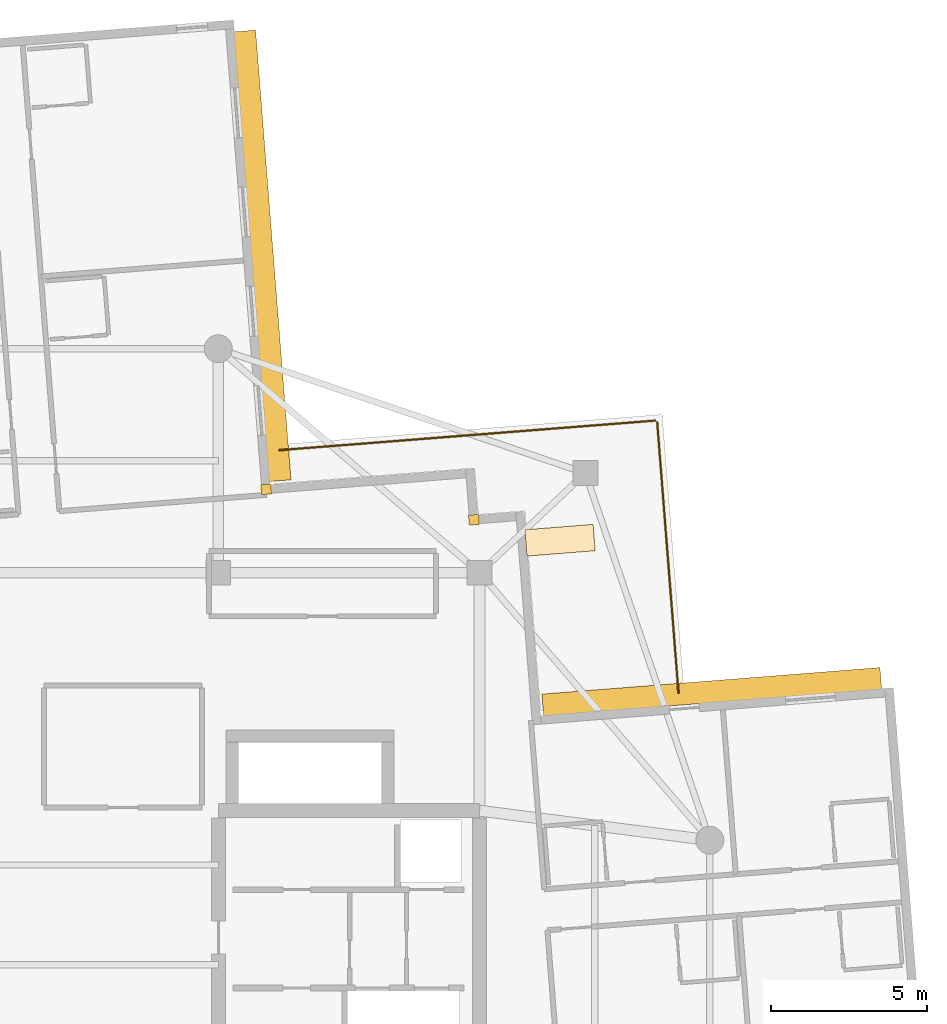
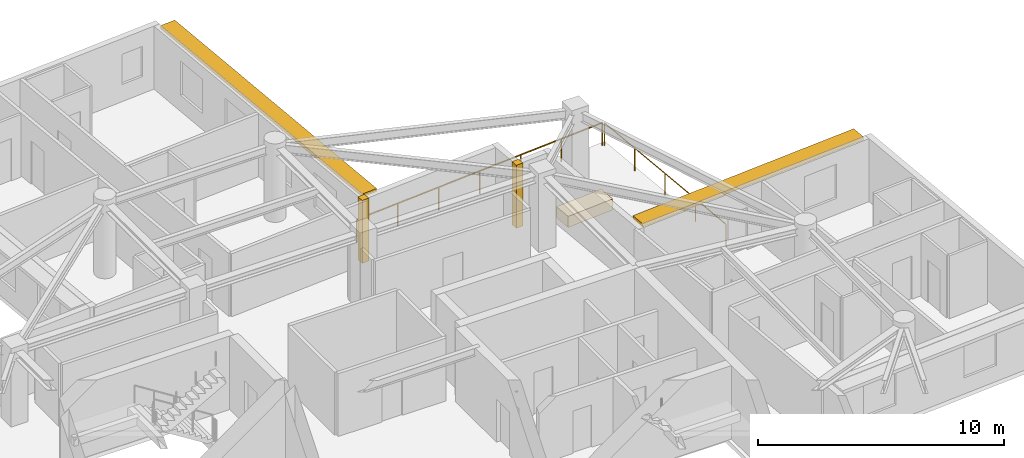
# One storey, part 13 of 13: 3 coverings, 2 railings, 2 shading devices.
"""IFC4 building model written with IfcOpenShell, lengths in metres."""

from ifc_helpers import new_model, si_unit, direction, frame, origin, origin_2d, place, context, subcontext, project, spatial, rectangle, circle, extrude, material, layer, layer_set, type_object, element, save


model = new_model("IFC4")

# Units and contexts
model_context = context("Model", 3, precision=1e-05, world=origin(), true_north=direction((0.0, 1.0)))
body_context = subcontext(model_context, "Body", "Model", "MODEL_VIEW")
ifc_project = project(units=[si_unit("LENGTHUNIT", "METRE"), si_unit("AREAUNIT", "SQUARE_METRE"), si_unit("VOLUMEUNIT", "CUBIC_METRE"), si_unit("PLANEANGLEUNIT", "RADIAN"), si_unit("MASSUNIT", "GRAM", prefix="KILO")], contexts=[model_context])

# Site, building, storey
site_placement = place(None, origin())
site = spatial("IfcSite", under=ifc_project, at=site_placement, CompositionType="ELEMENT")
building_placement = place(site_placement, origin())
building = spatial("IfcBuilding", under=site, at=building_placement, Name="Qingluan Cross Belvedere", CompositionType="ELEMENT")
storey_placement = place(building_placement, frame((0.0, 0.0, 285.0)))
storey = spatial("IfcBuildingStorey", under=building, at=storey_placement, Name="L71", CompositionType="ELEMENT", Elevation=285.0)

# Coverings
ifc_material_1 = material(Name="Precast concrete C45", Category="concrete")
ifc_layer_1 = layer(ifc_material_1, 0.1201171875, Name="ConcreteSpandrelCladding_120")
ifc_layer_set_1 = layer_set([ifc_layer_1], Name="Precast concrete C45")
covering_type_1 = type_object("IfcCoveringType", Name="ConcreteSpandrelCladding_120", PredefinedType="CLADDING", material=ifc_layer_set_1)
for number, where, z_axis, x_axis, name in (
    (1, (12.215576171875, 14.302490234375, 0.0), (0.0, 0.0, 1.0), (0.996917333733, 0.078459095728, 0.0), "Corner closure L71-NE1"),
    (2, (5.5380859375, 15.281494140625, 0.0), (0.0, 0.0, 1.0), (0.996917333733, 0.078459095728, 0.0), "Corner closure L71-NE2"),
):
    element("IfcCovering", number, at=place(storey_placement, frame(where, z_axis=z_axis, x_axis=x_axis)), inside=storey, type_object=covering_type_1, Name=name, PredefinedType="CLADDING", context=body_context, shape_type="SweptSolid", body=[
        extrude(rectangle(XDim=0.320068359375, YDim=0.320068359375, at=origin_2d()), origin(), (0.0, 0.0, 1.0), 3.1298828125),
    ])

# Shading devices
ifc_material_2 = material(Name="Precast concrete C45", Category="concrete")
ifc_layer_2 = layer(ifc_material_2, 0.139892578125, Name="ConcreteSunshadeBand_700")
ifc_layer_set_2 = layer_set([ifc_layer_2], Name="Precast concrete C45")
shading_device_type = type_object("IfcShadingDeviceType", Name="ConcreteSunshadeBand_700", PredefinedType="USERDEFINED", material=ifc_layer_set_2)
shading_device_1_placement = place(storey_placement, frame((19.86279296875, 8.775390625, 2.9501953125), z_axis=(0.0, 0.0, 1.0), x_axis=(-0.996917315041, -0.078459333231, 0.0)))
element("IfcShadingDevice", 3, at=shading_device_1_placement, inside=storey, type_object=shading_device_type, Name="Concrete SUNSHADE L71-EB", ObjectType="SUNSHADE", PredefinedType="USERDEFINED", context=body_context, shape_type="SweptSolid", body=[
    extrude(rectangle(XDim=10.89990234375, YDim=0.699951171875, at=origin_2d()), origin(), (0.0, 0.0, 1.0), 0.159912109375),
])
shading_device_2_placement = place(storey_placement, frame((5.4189453125, 22.785400390625, 2.9501953125), z_axis=(0.0, 0.0, 1.0), x_axis=(-0.078455721862, 0.996917599256, 0.0)))
element("IfcShadingDevice", 4, at=shading_device_2_placement, inside=storey, type_object=shading_device_type, Name="Concrete SUNSHADE L71-NA", ObjectType="SUNSHADE", PredefinedType="USERDEFINED", context=body_context, shape_type="SweptSolid", body=[
    extrude(rectangle(XDim=14.5, YDim=0.699951171875, at=origin_2d()), origin(), (0.0, 0.0, 1.0), 0.159912109375),
])

# Railings
ifc_material_3 = material(Name="Laminated glass and stainless steel balustrade", Category="steel")
railing_type = type_object("IfcRailingType", Name="TerraceGuardBalustrade_1150", PredefinedType="BALUSTRADE", material=ifc_material_3)
railing_1_placement = place(storey_placement, frame((5.960693359375, 16.538818359375, 0.0)))
element("IfcRailing", 5, at=railing_1_placement, inside=storey, type_object=railing_type, Name="Terrace guard L71-1", PredefinedType="BALUSTRADE", context=body_context, shape_type="SweptSolid", body=[
    extrude(circle(Radius=0.02392578125, at=origin_2d()), frame((0.0, 0.0, 1.1259765625), z_axis=(0.996918950322, 0.078438552314, 0.0), x_axis=(-0.078438552314, 0.996918950322, 0.0)), (0.0, 0.0, 1.0), 12.1201171875),
    extrude(circle(Radius=0.02099609375, at=origin_2d()), origin(), (0.0, 0.0, 1.0), 1.101806640625),
    extrude(circle(Radius=0.02099609375, at=origin_2d()), frame((2.013671875, 0.158447265625, 0.0)), (0.0, 0.0, 1.0), 1.101806640625),
    extrude(circle(Radius=0.02099609375, at=origin_2d()), frame((4.027587890625, 0.31689453125, 0.0)), (0.0, 0.0, 1.0), 1.101806640625),
    extrude(circle(Radius=0.02099609375, at=origin_2d()), frame((6.04150390625, 0.475341796875, 0.0)), (0.0, 0.0, 1.0), 1.101806640625),
    extrude(circle(Radius=0.02099609375, at=origin_2d()), frame((8.05517578125, 0.6337890625, 0.0)), (0.0, 0.0, 1.0), 1.101806640625),
    extrude(circle(Radius=0.02099609375, at=origin_2d()), frame((10.06884765625, 0.792236328125, 0.0)), (0.0, 0.0, 1.0), 1.101806640625),
    extrude(circle(Radius=0.02099609375, at=origin_2d()), frame((12.082763671875, 0.95068359375, 0.0)), (0.0, 0.0, 1.0), 1.101806640625),
])
railing_2_placement = place(storey_placement, frame((18.10791015625, 17.4345703125, 0.0)))
element("IfcRailing", 6, at=railing_2_placement, inside=storey, type_object=railing_type, Name="Terrace guard L71-2", PredefinedType="BALUSTRADE", context=body_context, shape_type="SweptSolid", body=[
    extrude(circle(Radius=0.02392578125, at=origin_2d()), frame((0.0, 0.0, 1.1259765625), z_axis=(0.078447677123, -0.996918232331, 0.0), x_axis=(0.996918232331, 0.078447677123, 0.0)), (0.0, 0.0, 1.0), 8.72021484375),
    extrude(circle(Radius=0.02099609375, at=origin_2d()), origin(), (0.0, 0.0, 1.0), 1.101806640625),
    extrude(circle(Radius=0.02099609375, at=origin_2d()), frame((0.1708984375, -2.17333984375, 0.0)), (0.0, 0.0, 1.0), 1.101806640625),
    extrude(circle(Radius=0.02099609375, at=origin_2d()), frame((0.342041015625, -4.3466796875, 0.0)), (0.0, 0.0, 1.0), 1.101806640625),
    extrude(circle(Radius=0.02099609375, at=origin_2d()), frame((0.51318359375, -6.52001953125, 0.0)), (0.0, 0.0, 1.0), 1.101806640625),
    extrude(circle(Radius=0.02099609375, at=origin_2d()), frame((0.68408203125, -8.693359375, 0.0)), (0.0, 0.0, 1.0), 1.101806640625),
])

# Covering
ifc_material_4 = material(Name="Precast concrete C40", Category="concrete")
ifc_layer_3 = layer(ifc_material_4, 0.550048828125, Name="TerracePlanterBox")
ifc_layer_set_3 = layer_set([ifc_layer_3], Name="Precast concrete C40")
covering_type_2 = type_object("IfcCoveringType", Name="TerracePlanterBox", PredefinedType="USERDEFINED", material=ifc_layer_set_3)
covering_placement = place(storey_placement, frame((14.985107421875, 13.64306640625, 0.0), z_axis=(0.0, 0.0, 1.0), x_axis=(0.996917333733, 0.078459095728, 0.0)))
element("IfcCovering", 7, at=covering_placement, inside=storey, type_object=covering_type_2, Name="Spiralling winter-garden planter L71", ObjectType="PLANTER", PredefinedType="USERDEFINED", context=body_context, shape_type="SweptSolid", body=[
    extrude(rectangle(XDim=2.199951171875, YDim=0.85009765625, at=origin_2d()), origin(), (0.0, 0.0, 1.0), 0.550048828125),
])

save(model, "model.ifc")
